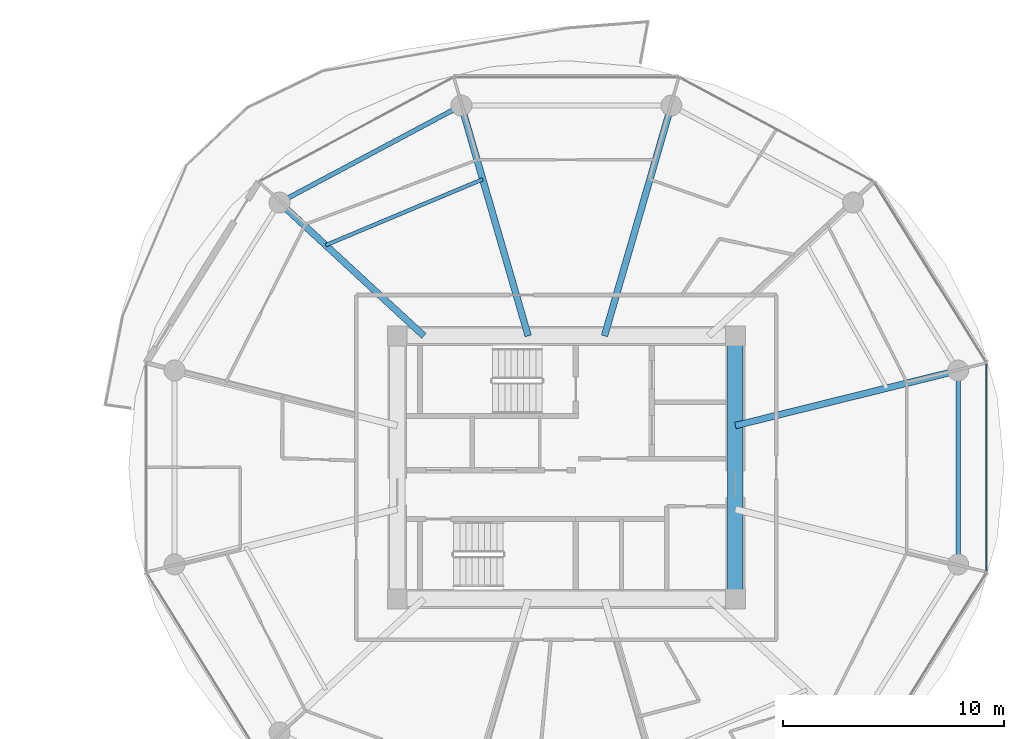
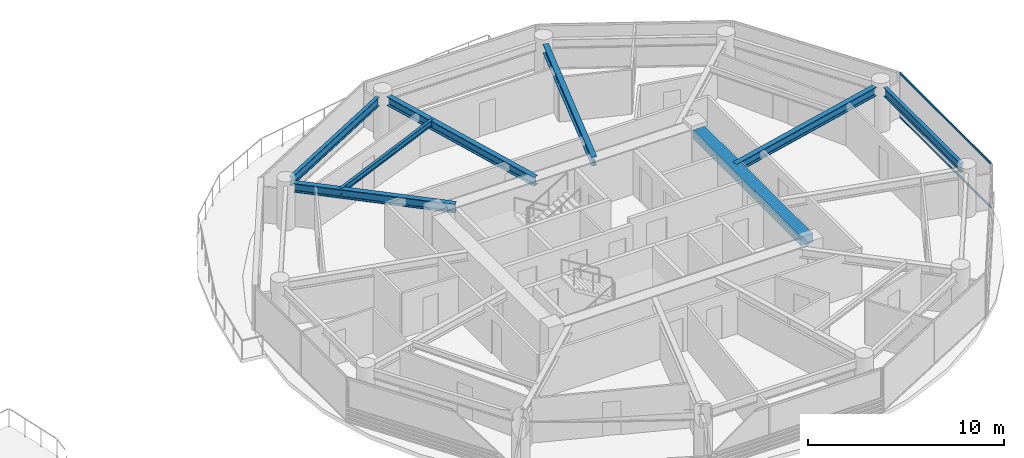
# One storey, part 12 of 27: 8 beams, 2 members, 1 element without a shape of its own.
"""IFC4 building model written with IfcOpenShell, lengths in metres."""

import ifcopenshell
import ifcopenshell.guid

model = None  # the IFC model being written
_history = None  # IfcOwnerHistory: only IFC2X3 demands one
_inside = {}  # id of a spatial element -> (the spatial element, [elements in it])
_under = {}  # id of a project, library or spatial element -> (it, [spatial elements below it])
_declared = {}  # id of a project -> (the project, [libraries it declares])
_typed = {}  # id of a type object -> (the type object, [elements of that type])
_made_of = {}  # id of a material, layer set ... -> (it, [elements and type objects made of it])


def new_model(schema):
    """Start an empty IFC model of exactly this schema.

    Asked for "IFC4X3", IfcOpenShell would pick the latest addendum, in which some entities
    have other attributes; the version numbers below select the first issue.
    IFC2X3 requires an IfcOwnerHistory on every rooted entity: one is made here for all.
    """
    global model, _history
    if schema == "IFC4X3":
        model = ifcopenshell.file(schema_version=(4, 3, 0, 0))
    else:
        model = ifcopenshell.file(schema=schema)
    _inside.clear()
    _under.clear()
    _declared.clear()
    _typed.clear()
    _made_of.clear()
    _history = None
    if model.schema == "IFC2X3":
        org = make("IfcOrganization", Name="unknown")
        user = make(
            "IfcPersonAndOrganization",
            ThePerson=make("IfcPerson", FamilyName="unknown"),
            TheOrganization=org,
        )
        app = make(
            "IfcApplication",
            ApplicationDeveloper=org,
            Version="unknown",
            ApplicationFullName="unknown",
            ApplicationIdentifier="unknown",
        )
        _history = make(
            "IfcOwnerHistory",
            OwningUser=user,
            OwningApplication=app,
            ChangeAction="ADDED",
            CreationDate=0,
        )
    return model


def make(cls, **values):
    """One entity of the class cls with the attributes given. An attribute that is None is left unset."""
    return model.create_entity(
        cls, **{name: value for name, value in values.items() if value is not None}
    )


def rooted(cls, **values):
    """An entity with a GlobalId (a new one), such as an element, a storey or a relation."""
    return make(cls, GlobalId=ifcopenshell.guid.new(), OwnerHistory=_history, **values)


def si_unit(unit_type, name, prefix=None):
    """IfcSIUnit, for example si_unit("LENGTHUNIT", "METRE", prefix="MILLI")."""
    return make("IfcSIUnit", UnitType=unit_type, Prefix=prefix, Name=name)


def assignment(units):
    """IfcUnitAssignment: the units of a project."""
    return None if units is None else make("IfcUnitAssignment", Units=units)


def point(xyz):
    """IfcCartesianPoint."""
    return None if xyz is None else make("IfcCartesianPoint", Coordinates=xyz)


def direction(xyz):
    """IfcDirection."""
    return None if xyz is None else make("IfcDirection", DirectionRatios=xyz)


def frame(location, z_axis=None, x_axis=None):
    """IfcAxis2Placement3D, a coordinate frame: its origin and axes. An axis left out is left unset."""
    return make(
        "IfcAxis2Placement3D",
        Location=point(location),
        Axis=direction(z_axis),
        RefDirection=direction(x_axis),
    )


def frame_2d(location, x_axis=None):
    """IfcAxis2Placement2D, a coordinate frame in the plane: its origin and x axis."""
    return make(
        "IfcAxis2Placement2D", Location=point(location), RefDirection=direction(x_axis)
    )


def origin():
    """The frame at (0, 0, 0) with its axes left unset."""
    return frame((0.0, 0.0, 0.0))


def origin_2d():
    """The frame at (0, 0) in the plane with its x axis left unset."""
    return frame_2d((0.0, 0.0))


def place(relative_to, where):
    """IfcLocalPlacement: puts the frame where relative to a parent placement (None: the world)."""
    return make(
        "IfcLocalPlacement", PlacementRelTo=relative_to, RelativePlacement=where
    )


def context(
    kind, dimensions, precision=None, world=None, true_north=None, identifier=None
):
    """IfcGeometricRepresentationContext, for example the 3D "Model" context."""
    return make(
        "IfcGeometricRepresentationContext",
        ContextIdentifier=identifier,
        ContextType=kind,
        CoordinateSpaceDimension=dimensions,
        Precision=precision,
        WorldCoordinateSystem=world,
        TrueNorth=true_north,
    )


def subcontext(parent, identifier, kind, view, scale=None):
    """IfcGeometricRepresentationSubContext, for example "Body" below "Model"."""
    return make(
        "IfcGeometricRepresentationSubContext",
        ContextIdentifier=identifier,
        ContextType=kind,
        ParentContext=parent,
        TargetScale=scale,
        TargetView=view,
    )


def project(units=None, contexts=None):
    """IfcProject with its units and contexts."""
    return rooted(
        "IfcProject",
        Name="project",
        RepresentationContexts=contexts,
        UnitsInContext=assignment(units),
    )


def spatial(cls, under=None, at=None, **own):
    """A site, building, storey or space (cls), placed at a placement, below another one or the project."""
    s = rooted(cls, ObjectPlacement=at, **own)
    if under is not None:
        _under.setdefault(under.id(), (under, []))[1].append(s)
    return s


def profile(cls, at=None, kind="AREA", **sizes):
    """A parametric profile (cls). Its sizes go by their IFC names, for example OverallWidth=200.0."""
    return make(cls, ProfileType=kind, Position=at, **sizes)


def rectangle(**sizes):
    """IfcRectangleProfileDef."""
    return profile("IfcRectangleProfileDef", **sizes)


def i_section(**sizes):
    """IfcIShapeProfileDef."""
    return profile("IfcIShapeProfileDef", **sizes)


def extrude(swept, where, along, depth):
    """IfcExtrudedAreaSolid: the profile swept, set in the frame where, extruded along a direction by depth."""
    return make(
        "IfcExtrudedAreaSolid",
        SweptArea=swept,
        Position=where,
        ExtrudedDirection=direction(along),
        Depth=depth,
    )


def shape(context_of_items, identifier, shape_type, items):
    """IfcShapeRepresentation: the items that make up one representation, for example the "Body"."""
    return make(
        "IfcShapeRepresentation",
        ContextOfItems=context_of_items,
        RepresentationIdentifier=identifier,
        RepresentationType=shape_type,
        Items=items,
    )


def source(mapping_origin, context_of_items, identifier, shape_type, items):
    """IfcRepresentationMap: a shape defined once, which mapped items show again and again."""
    return make(
        "IfcRepresentationMap",
        MappingOrigin=mapping_origin,
        MappedRepresentation=shape(context_of_items, identifier, shape_type, items),
    )


def transform(
    local_origin,
    x_axis=None,
    y_axis=None,
    z_axis=None,
    scale=None,
    scale2=None,
    scale3=None,
    uniform=True,
):
    """IfcCartesianTransformationOperator3D, or its non-uniform kind. x_axis, y_axis, z_axis: its Axis1, 2, 3."""
    if uniform:
        return make(
            "IfcCartesianTransformationOperator3D",
            Axis1=direction(x_axis),
            Axis2=direction(y_axis),
            LocalOrigin=point(local_origin),
            Scale=scale,
            Axis3=direction(z_axis),
        )
    return make(
        "IfcCartesianTransformationOperator3DnonUniform",
        Axis1=direction(x_axis),
        Axis2=direction(y_axis),
        LocalOrigin=point(local_origin),
        Scale=scale,
        Axis3=direction(z_axis),
        Scale2=scale2,
        Scale3=scale3,
    )


def mapped(mapping_source, mapping_target):
    """IfcMappedItem: shows the shape of a source again, moved by a transform."""
    return make(
        "IfcMappedItem", MappingSource=mapping_source, MappingTarget=mapping_target
    )


def material(Name=None, Category=None):
    """IfcMaterial."""
    return make("IfcMaterial", Name=Name, Category=Category)


def layer(
    of_material, thickness, ventilated=None, Name=None, Category=None, Priority=None
):
    """IfcMaterialLayer: one layer of a wall or slab, of a material (None: an air gap)."""
    return make(
        "IfcMaterialLayer",
        Material=of_material,
        LayerThickness=thickness,
        IsVentilated=ventilated,
        Name=Name,
        Category=Category,
        Priority=Priority,
    )


def layer_set(layers, Name=None):
    """IfcMaterialLayerSet."""
    return make("IfcMaterialLayerSet", MaterialLayers=layers, LayerSetName=Name)


def material_profile(
    of_material, cross_section, Name=None, Category=None, Priority=None
):
    """IfcMaterialProfile: a cross section and its material."""
    return make(
        "IfcMaterialProfile",
        Name=Name,
        Material=of_material,
        Profile=cross_section,
        Priority=Priority,
        Category=Category,
    )


def profile_set(profiles, Name=None, composite=None):
    """IfcMaterialProfileSet."""
    return make(
        "IfcMaterialProfileSet",
        Name=Name,
        MaterialProfiles=profiles,
        CompositeProfile=composite,
    )


def made_of(thing, what):
    """Note that an element or type object is made of a material, layer set ...; save() writes the relation."""
    if what is not None:
        _made_of.setdefault(what.id(), (what, []))[1].append(thing)
    return thing


def type_object(cls, material=None, **own):
    """A type object (cls), such as IfcWallType, which elements share."""
    return made_of(rooted(cls, **own), material)


def type_shapes(of_type, sources):
    """Give a type object the sources (RepresentationMaps) that its elements show as mapped items."""
    of_type.RepresentationMaps = sources


def element(
    cls,
    number,
    at=None,
    inside=None,
    cuts=None,
    type_object=None,
    material=None,
    context=None,
    identifier="Body",
    shape_type=None,
    held_by="IfcProductDefinitionShape",
    body=None,
    shapes=None,
    **own,
):
    """One element of the class cls, such as IfcWall. Its Tag is "e" and its number.

    at: its placement. inside: the storey or other place that contains it. cuts: it is an
    opening in that element (IfcRelVoidsElement). A single representation is given by context,
    identifier, shape_type and body (its items); several are given by shapes. held_by: the class
    of the entity that holds the representations. save() writes the other relations.
    """
    e = rooted(cls, Tag="e%d" % number, ObjectPlacement=at, **own)
    if body is not None:
        shapes = [shape(context, identifier, shape_type, body)]
    if shapes is not None:
        e.Representation = make(held_by, Representations=shapes)
    if inside is not None:
        _inside.setdefault(inside.id(), (inside, []))[1].append(e)
    if cuts is not None:
        rooted(
            "IfcRelVoidsElement", RelatingBuildingElement=cuts, RelatedOpeningElement=e
        )
    if type_object is not None:
        _typed.setdefault(type_object.id(), (type_object, []))[1].append(e)
    return made_of(e, material)


def aggregate(whole, parts):
    """IfcRelAggregates: a whole, such as a stair, and the parts it consists of."""
    return rooted("IfcRelAggregates", RelatingObject=whole, RelatedObjects=parts)


def save(model, path):
    """Write the relations noted so far, then the file.

    IfcRelAggregates (storeys below a building ...), IfcRelContainedInSpatialStructure (elements
    in a storey), IfcRelDefinesByType, IfcRelAssociatesMaterial and IfcRelDeclares: one each for
    every whole, place, type object, material and project.
    """
    for whole, parts in _under.values():
        aggregate(whole, parts)
    for where, things in _inside.values():
        rooted(
            "IfcRelContainedInSpatialStructure",
            RelatedElements=things,
            RelatingStructure=where,
        )
    for kind, things in _typed.values():
        rooted("IfcRelDefinesByType", RelatedObjects=things, RelatingType=kind)
    for what, things in _made_of.values():
        rooted("IfcRelAssociatesMaterial", RelatedObjects=things, RelatingMaterial=what)
    for by, libraries in _declared.values():
        rooted("IfcRelDeclares", RelatingContext=by, RelatedDefinitions=libraries)
    model.write(path)


model = new_model("IFC4")

# Units and contexts
model_context = context("Model", 3, precision=1e-05, world=origin(), true_north=direction((0.0, 1.0)))
body_context = subcontext(model_context, "Body", "Model", "MODEL_VIEW")
ifc_project = project(units=[si_unit("LENGTHUNIT", "METRE"), si_unit("AREAUNIT", "SQUARE_METRE"), si_unit("VOLUMEUNIT", "CUBIC_METRE"), si_unit("PLANEANGLEUNIT", "RADIAN"), si_unit("MASSUNIT", "GRAM", prefix="KILO")], contexts=[model_context])

# Site, building, storey
site_placement = place(None, origin())
site = spatial("IfcSite", under=ifc_project, at=site_placement, CompositionType="ELEMENT")
building_placement = place(site_placement, origin())
building = spatial("IfcBuilding", under=site, at=building_placement, Name="Norrkilde Senior Care Towers", CompositionType="ELEMENT")
storey_placement = place(building_placement, frame((0.0, 0.0, 61.25)))
storey = spatial("IfcBuildingStorey", under=building, at=storey_placement, Name="L18", CompositionType="ELEMENT", Elevation=61.25)

# Beams
ifc_material_1 = material(Name="Concrete C60/75", Category="concrete")
ifc_material_profile_1 = material_profile(ifc_material_1, rectangle(XDim=0.699951171875, YDim=0.550048828125, at=origin_2d()), Name="RC BM 700x550")
ifc_profile_set_1 = profile_set([ifc_material_profile_1], Name="Concrete C60/75")
beam_type_1 = type_object("IfcBeamType", Name="Core Portal Coupling Beam 700x550", PredefinedType="USERDEFINED", material=ifc_profile_set_1)
shared_shape_1 = source(origin(), body_context, "Body", "SweptSolid", [
    extrude(rectangle(XDim=0.699951171875, YDim=0.550048828125, at=origin_2d()), origin(), (0.0, 0.0, 1.0), 11.0400390625),
])
type_shapes(beam_type_1, [shared_shape_1])
beam_1_placement = place(storey_placement, frame((35.64990234375, -5.52001953125, 2.514892578125), z_axis=(0.0, 1.0, 0.0), x_axis=(-1.0, 0.0, 0.0)))
element("IfcBeam", 1, at=beam_1_placement, inside=storey, type_object=beam_type_1, Name="L18 Core E E Coupling Girder", ObjectType="GIRDER", PredefinedType="USERDEFINED", context=body_context, shape_type="MappedRepresentation", body=[
    mapped(shared_shape_1, transform((0.0, 0.0, 0.0), x_axis=(1.0, 0.0, 0.0), y_axis=(0.0, 1.0, 0.0), z_axis=(0.0, 0.0, 1.0), scale=1.0)),
])
ifc_material_2 = material(Name="Steel S355", Category="steel")
ifc_material_profile_2 = material_profile(ifc_material_2, i_section(OverallWidth=0.300048828125, OverallDepth=0.550048828125, WebThickness=0.014892578125, FlangeThickness=0.029052734375, FilletRadius=0.027099609375, at=origin_2d()), Name="HEB 550")
ifc_profile_set_2 = profile_set([ifc_material_profile_2], Name="Steel S355")
beam_type_2 = type_object("IfcBeamType", Name="Radial Floor Beam Z1 HEB550", PredefinedType="BEAM", material=ifc_profile_set_2)
shared_shape_2 = source(origin(), body_context, "Body", "SweptSolid", [
    extrude(i_section(OverallWidth=0.300048828125, OverallDepth=0.550048828125, WebThickness=0.014892578125, FlangeThickness=0.029052734375, FilletRadius=0.027099609375, at=origin_2d()), origin(), (0.0, 0.0, 1.0), 9.94384765625),
])
beam_2_placement = place(storey_placement, frame((35.64990234375, 1.893310546875, 2.514892578125), z_axis=(0.970707425182, 0.240264634718, 0.0), x_axis=(-0.240264634718, 0.970707425182, 0.0)))
element("IfcBeam", 2, at=beam_2_placement, inside=storey, type_object=beam_type_2, Name="L18 Drum E Radial Floor Beam 01", PredefinedType="BEAM", context=body_context, shape_type="MappedRepresentation", body=[
    mapped(shared_shape_2, transform((0.0, 0.0, 0.0), x_axis=(1.0, 0.0, 0.0), y_axis=(0.0, 1.0, 0.0), z_axis=(0.0, 0.0, 1.0), scale=1.0)),
])
ifc_material_profile_3 = material_profile(ifc_material_2, i_section(OverallWidth=0.2099609375, OverallDepth=0.550048828125, WebThickness=0.010986328125, FlangeThickness=0.01708984375, FilletRadius=0.02392578125, at=origin_2d()), Name="IPE 550")
ifc_profile_set_3 = profile_set([ifc_material_profile_3], Name="Steel S355")
beam_type_3 = type_object("IfcBeamType", Name="Perimeter Ring Spandrel Z1 IPE550", PredefinedType="SPANDREL", material=ifc_profile_set_3)
shared_shape_3 = source(origin(), body_context, "Body", "SweptSolid", [
    extrude(i_section(OverallWidth=0.2099609375, OverallDepth=0.550048828125, WebThickness=0.010986328125, FlangeThickness=0.01708984375, FilletRadius=0.02392578125, at=origin_2d()), origin(), (0.0, 0.0, 1.0), 8.452880859375),
])
beam_3_placement = place(storey_placement, frame((22.866943359375, 16.167724609375, 2.514892578125), z_axis=(-0.882368931134, -0.470558252898, 0.0), x_axis=(0.470558252898, -0.882368931134, 0.0)))
element("IfcBeam", 3, at=beam_3_placement, inside=storey, type_object=beam_type_3, Name="L18 Drum E Perimeter Spandrel 04", PredefinedType="SPANDREL", context=body_context, shape_type="MappedRepresentation", body=[
    mapped(shared_shape_3, transform((0.0, 0.0, 0.0), x_axis=(1.0, 0.0, 0.0), y_axis=(0.0, 1.0, 0.0), z_axis=(0.0, 0.0, 1.0), scale=1.0)),
])
shared_shape_4 = source(origin(), body_context, "Body", "SweptSolid", [
    extrude(i_section(OverallWidth=0.300048828125, OverallDepth=0.550048828125, WebThickness=0.014892578125, FlangeThickness=0.029052734375, FilletRadius=0.027099609375, at=origin_2d()), origin(), (0.0, 0.0, 1.0), 8.459716796875),
])
beam_4_placement = place(storey_placement, frame((21.55859375, 5.949951171875, 2.514892578125), z_axis=(-0.734573269108, 0.678529374686, 0.0), x_axis=(-0.678529374686, -0.734573269108, 0.0)))
element("IfcBeam", 4, at=beam_4_placement, inside=storey, type_object=beam_type_2, Name="L18 Drum E Radial Floor Beam 05", PredefinedType="BEAM", context=body_context, shape_type="MappedRepresentation", body=[
    mapped(shared_shape_4, transform((0.0, 0.0, 0.0), x_axis=(1.0, 0.0, 0.0), y_axis=(0.0, 1.0, 0.0), z_axis=(0.0, 0.0, 1.0), scale=1.0)),
])
shared_shape_5 = source(origin(), body_context, "Body", "SweptSolid", [
    extrude(i_section(OverallWidth=0.300048828125, OverallDepth=0.550048828125, WebThickness=0.014892578125, FlangeThickness=0.029052734375, FilletRadius=0.027099609375, at=origin_2d()), origin(), (0.0, 0.0, 1.0), 10.4169921875),
])
type_shapes(beam_type_2, [shared_shape_2, shared_shape_4, shared_shape_5])
for number, where, z_axis, x_axis, name in (
    (5, (29.72607421875, 5.949951171875, 2.514892578125), (0.278591250785, 0.960409764104, 0.0), (-0.960409764104, 0.278591250785, 0.0), "L18 Drum E Radial Floor Beam 03"),
    (6, (26.27392578125, 5.949951171875, 2.514892578125), (-0.278591250785, 0.960409764104, 0.0), (-0.960409764104, -0.278591250785, 0.0), "L18 Drum E Radial Floor Beam 04"),
):
    element("IfcBeam", number, at=place(storey_placement, frame(where, z_axis=z_axis, x_axis=x_axis)), inside=storey, type_object=beam_type_2, Name=name, PredefinedType="BEAM", context=body_context, shape_type="MappedRepresentation", body=[
        mapped(shared_shape_5, transform((0.0, 0.0, 0.0), x_axis=(1.0, 0.0, 0.0), y_axis=(0.0, 1.0, 0.0), z_axis=(0.0, 0.0, 1.0), scale=1.0)),
    ])
shared_shape_6 = source(origin(), body_context, "Body", "SweptSolid", [
    extrude(i_section(OverallWidth=0.2099609375, OverallDepth=0.550048828125, WebThickness=0.010986328125, FlangeThickness=0.01708984375, FilletRadius=0.02392578125, at=origin_2d()), origin(), (0.0, 0.0, 1.0), 7.90380859375),
])
type_shapes(beam_type_3, [shared_shape_3, shared_shape_6])
beam_5_placement = place(storey_placement, frame((45.724853515625, -3.951904296875, 2.514892578125), z_axis=(0.0, 1.0, 0.0), x_axis=(-1.0, 0.0, 0.0)))
element("IfcBeam", 7, at=beam_5_placement, inside=storey, type_object=beam_type_3, Name="L18 Drum E Perimeter Spandrel 12", PredefinedType="SPANDREL", context=body_context, shape_type="MappedRepresentation", body=[
    mapped(shared_shape_6, transform((0.0, 0.0, 0.0), x_axis=(1.0, 0.0, 0.0), y_axis=(0.0, 1.0, 0.0), z_axis=(0.0, 0.0, 1.0), scale=1.0)),
])
ifc_material_profile_4 = material_profile(ifc_material_2, i_section(OverallWidth=0.169921875, OverallDepth=0.360107421875, WebThickness=0.008056640625, FlangeThickness=0.0126953125, FilletRadius=0.01806640625, at=origin_2d()), Name="IPE 360")
ifc_profile_set_4 = profile_set([ifc_material_profile_4], Name="Steel S355")
beam_type_4 = type_object("IfcBeamType", Name="Secondary Floor Joist IPE360", PredefinedType="JOIST", material=ifc_profile_set_4)
shared_shape_7 = source(origin(), body_context, "Body", "SweptSolid", [
    extrude(i_section(OverallWidth=0.169921875, OverallDepth=0.360107421875, WebThickness=0.008056640625, FlangeThickness=0.0126953125, FilletRadius=0.01806640625, at=origin_2d()), origin(), (0.0, 0.0, 1.0), 7.703857421875),
])
type_shapes(beam_type_4, [shared_shape_7])
beam_6_placement = place(storey_placement, frame((24.21826171875, 13.037353515625, 2.610107421875), z_axis=(-0.921982784465, -0.387230868023, 0.0), x_axis=(0.387230868023, -0.921982784465, 0.0)))
element("IfcBeam", 8, at=beam_6_placement, inside=storey, type_object=beam_type_4, Name="L18 Drum E Secondary Floor Joist 2", PredefinedType="JOIST", context=body_context, shape_type="MappedRepresentation", body=[
    mapped(shared_shape_7, transform((0.0, 0.0, 0.0), x_axis=(1.0, 0.0, 0.0), y_axis=(0.0, 1.0, 0.0), z_axis=(0.0, 0.0, 1.0), scale=1.0)),
])

# Curtain wall, members
ifc_material_3 = material(Name="Triple Low-E Insulated Glazing", Category="glass")
ifc_layer = layer(ifc_material_3, 0.199951171875)
ifc_layer_set = layer_set([ifc_layer], Name="Triple Low-E Insulated Glazing")
curtain_wall_type = type_object("IfcCurtainWallType", Name="CW2 Zone 1 Memory Care Curtain Wall", PredefinedType="NOTDEFINED", material=ifc_layer_set)
curtain_wall_placement = place(storey_placement, origin())
curtain_wall = element("IfcCurtainWall", 9, at=curtain_wall_placement, inside=storey, type_object=curtain_wall_type, Name="L18 Drum E Curtain Wall 11", PredefinedType="NOTDEFINED")
ifc_material_4 = material(Name="Anodised Aluminium", Category="aluminium")
ifc_material_profile_5 = material_profile(ifc_material_4, rectangle(XDim=0.06005859375, YDim=0.1201171875, at=origin_2d()), Name="ALU TRAN 60x120")
ifc_profile_set_5 = profile_set([ifc_material_profile_5], Name="Anodised Aluminium")
member_type = type_object("IfcMemberType", Name="Curtain Wall Transom Typical 60x120", PredefinedType="USERDEFINED", material=ifc_profile_set_5)
shared_shape_8 = source(origin(), body_context, "Body", "SweptSolid", [
    extrude(rectangle(XDim=0.06005859375, YDim=0.1201171875, at=origin_2d()), origin(), (0.0, 0.0, 1.0), 9.33251953125),
])
type_shapes(member_type, [shared_shape_8])
member_1_placement = place(storey_placement, frame((47.009521484375, 4.666259765625, 0.030029296875), z_axis=(0.0, -1.0, 0.0), x_axis=(1.0, 0.0, 0.0)))
member_1 = element("IfcMember", 10, at=member_1_placement, type_object=member_type, Name="CW-2 transom 1.1", ObjectType="TRANSOM", PredefinedType="USERDEFINED", context=body_context, shape_type="MappedRepresentation", body=[
    mapped(shared_shape_8, transform((0.0, 0.0, 0.0), x_axis=(1.0, 0.0, 0.0), y_axis=(0.0, 1.0, 0.0), z_axis=(0.0, 0.0, 1.0), scale=1.0)),
])
member_2_placement = place(storey_placement, frame((47.009521484375, 4.666259765625, 2.760009765625), z_axis=(0.0, -1.0, 0.0), x_axis=(1.0, 0.0, 0.0)))
member_2 = element("IfcMember", 11, at=member_2_placement, type_object=member_type, Name="CW-2 transom 1.2", ObjectType="TRANSOM", PredefinedType="USERDEFINED", context=body_context, shape_type="MappedRepresentation", body=[
    mapped(shared_shape_8, transform((0.0, 0.0, 0.0), x_axis=(1.0, 0.0, 0.0), y_axis=(0.0, 1.0, 0.0), z_axis=(0.0, 0.0, 1.0), scale=1.0)),
])
aggregate(curtain_wall, [member_1, member_2])

save(model, "model.ifc")
